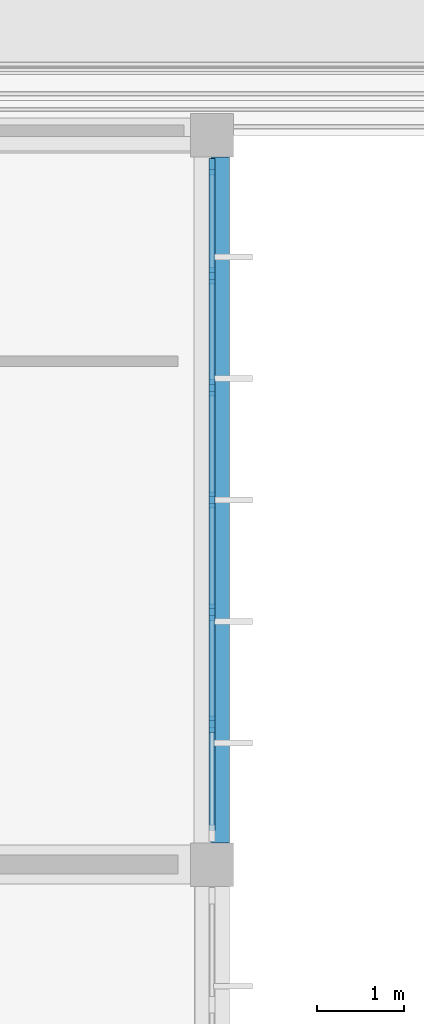
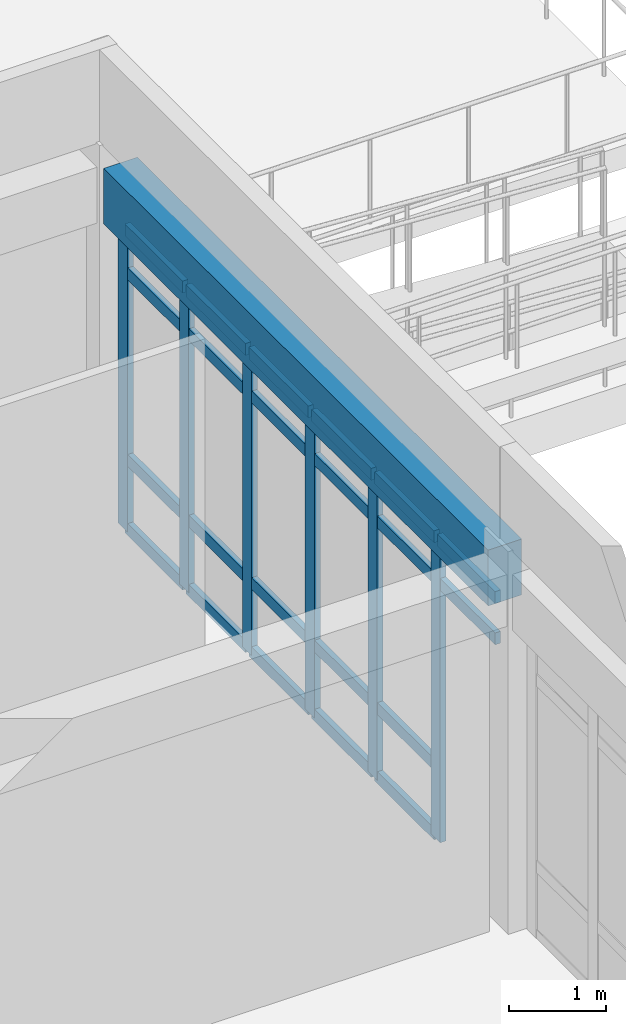
# One storey, part 51 of 138: 28 members, 1 beam, 1 element without a shape of its own.
"""IFC4 building model written with IfcOpenShell, lengths in metres."""

from ifc_helpers import new_model, si_unit, direction, frame, origin, origin_2d, place, context, subcontext, project, spatial, rectangle, extrude, material, layer, layer_set, material_profile, profile_set, type_object, element, aggregate, save


model = new_model("IFC4")

# Units and contexts
model_context = context("Model", 3, precision=1e-05, world=origin(), true_north=direction((0.0, 1.0)))
body_context = subcontext(model_context, "Body", "Model", "MODEL_VIEW")
ifc_project = project(units=[si_unit("LENGTHUNIT", "METRE"), si_unit("AREAUNIT", "SQUARE_METRE"), si_unit("VOLUMEUNIT", "CUBIC_METRE"), si_unit("PLANEANGLEUNIT", "RADIAN"), si_unit("MASSUNIT", "GRAM", prefix="KILO")], contexts=[model_context])

# Site, building, storey
site_placement = place(None, origin())
site = spatial("IfcSite", under=ifc_project, at=site_placement, CompositionType="ELEMENT")
building_placement = place(site_placement, origin())
building = spatial("IfcBuilding", under=site, at=building_placement, Name="Bramfleet General Hospital", CompositionType="ELEMENT")
storey_placement = place(building_placement, origin())
storey = spatial("IfcBuildingStorey", under=building, at=storey_placement, Name="L00", CompositionType="ELEMENT", Elevation=0.0)

# Beam
ifc_material_1 = material(Name="Concrete C35/45", Category="concrete")
ifc_material_profile_1 = material_profile(ifc_material_1, rectangle(XDim=0.39990234375, YDim=0.699951171875, at=origin_2d()), Name="RC SP 700x400")
ifc_profile_set_1 = profile_set([ifc_material_profile_1], Name="Concrete C35/45")
beam_type = type_object("IfcBeamType", Name="BM-SP700", PredefinedType="SPANDREL", material=ifc_profile_set_1)
beam_placement = place(storey_placement, frame((176.39990234375, 17.050048828125, 4.14990234375), z_axis=(0.0, 1.0, 0.0), x_axis=(-1.0, 0.0, 0.0)))
element("IfcBeam", 1, at=beam_placement, inside=storey, type_object=beam_type, Name="L00 Grid Beam Y 21-02", PredefinedType="SPANDREL", context=body_context, shape_type="SweptSolid", body=[
    extrude(rectangle(XDim=0.39990234375, YDim=0.699951171875, at=origin_2d()), origin(), (0.0, 0.0, 1.0), 7.89990234375),
])

# Curtain wall, members
ifc_material_2 = material(Name="Anodised aluminium and low-E triple glazing", Category="aluminium")
ifc_layer = layer(ifc_material_2, 0.179931640625, Name="CWT-CW-13")
ifc_layer_set = layer_set([ifc_layer], Name="Anodised aluminium and low-E triple glazing")
curtain_wall_type = type_object("IfcCurtainWallType", Name="CWT-CW-13", PredefinedType="USERDEFINED", material=ifc_layer_set)
curtain_wall_placement = place(storey_placement, origin())
curtain_wall = element("IfcCurtainWall", 2, at=curtain_wall_placement, inside=storey, type_object=curtain_wall_type, Name="L00 Curtain Wall 31", ObjectType="Stick curtain wall", PredefinedType="USERDEFINED")
ifc_material_3 = material(Name="Structural timber GL28h", Category="wood")
ifc_material_profile_2 = material_profile(ifc_material_3, rectangle(XDim=0.070068359375, YDim=0.18994140625, at=origin_2d()), Name="LARCH 190x70")
ifc_profile_set_2 = profile_set([ifc_material_profile_2], Name="Structural timber GL28h")
member_type_1 = type_object("IfcMemberType", Name="CWM-LARCH450", PredefinedType="MULLION", material=ifc_profile_set_2)
member_1_placement = place(storey_placement, frame((176.39990234375, 24.840087890625, 0.0), z_axis=(0.0, 0.0, 1.0), x_axis=(1.0, 0.0, 0.0)))
member_1 = element("IfcMember", 3, at=member_1_placement, type_object=member_type_1, Name="CW-13 mullion 1", PredefinedType="MULLION", context=body_context, shape_type="SweptSolid", body=[
    extrude(rectangle(XDim=0.070068359375, YDim=0.18994140625, at=origin_2d()), origin(), (0.0, 0.0, 1.0), 3.7900390625),
])
member_2_placement = place(storey_placement, frame((176.39990234375, 23.583251953125, 0.0), z_axis=(0.0, 0.0, 1.0), x_axis=(1.0, 0.0, 0.0)))
member_2 = element("IfcMember", 4, at=member_2_placement, type_object=member_type_1, Name="CW-13 mullion 2", PredefinedType="MULLION", context=body_context, shape_type="SweptSolid", body=[
    extrude(rectangle(XDim=0.070068359375, YDim=0.18994140625, at=origin_2d()), origin(), (0.0, 0.0, 1.0), 3.7900390625),
])
member_3_placement = place(storey_placement, frame((176.39990234375, 22.291748046875, 0.0), z_axis=(0.0, 0.0, 1.0), x_axis=(1.0, 0.0, 0.0)))
member_3 = element("IfcMember", 5, at=member_3_placement, type_object=member_type_1, Name="CW-13 mullion 3", PredefinedType="MULLION", context=body_context, shape_type="SweptSolid", body=[
    extrude(rectangle(XDim=0.070068359375, YDim=0.18994140625, at=origin_2d()), origin(), (0.0, 0.0, 1.0), 3.7900390625),
])
member_4_placement = place(storey_placement, frame((176.39990234375, 21.0, 0.0), z_axis=(0.0, 0.0, 1.0), x_axis=(1.0, 0.0, 0.0)))
member_4 = element("IfcMember", 6, at=member_4_placement, type_object=member_type_1, Name="CW-13 mullion 4", PredefinedType="MULLION", context=body_context, shape_type="SweptSolid", body=[
    extrude(rectangle(XDim=0.070068359375, YDim=0.18994140625, at=origin_2d()), origin(), (0.0, 0.0, 1.0), 3.7900390625),
])
member_5_placement = place(storey_placement, frame((176.39990234375, 19.708251953125, 0.0), z_axis=(0.0, 0.0, 1.0), x_axis=(1.0, 0.0, 0.0)))
member_5 = element("IfcMember", 7, at=member_5_placement, type_object=member_type_1, Name="CW-13 mullion 5", PredefinedType="MULLION", context=body_context, shape_type="SweptSolid", body=[
    extrude(rectangle(XDim=0.070068359375, YDim=0.18994140625, at=origin_2d()), origin(), (0.0, 0.0, 1.0), 3.7900390625),
])
member_6_placement = place(storey_placement, frame((176.39990234375, 18.416748046875, 0.0), z_axis=(0.0, 0.0, 1.0), x_axis=(1.0, 0.0, 0.0)))
member_6 = element("IfcMember", 8, at=member_6_placement, type_object=member_type_1, Name="CW-13 mullion 6", PredefinedType="MULLION", context=body_context, shape_type="SweptSolid", body=[
    extrude(rectangle(XDim=0.070068359375, YDim=0.18994140625, at=origin_2d()), origin(), (0.0, 0.0, 1.0), 3.7900390625),
])
ifc_material_profile_3 = material_profile(ifc_material_3, rectangle(XDim=0.06494140625, YDim=0.14990234375, at=origin_2d()), Name="LARCH 150x65")
ifc_profile_set_3 = profile_set([ifc_material_profile_3], Name="Structural timber GL28h")
member_type_2 = type_object("IfcMemberType", Name="CWT-LARCH220", PredefinedType="USERDEFINED", material=ifc_profile_set_3)
member_7_placement = place(storey_placement, frame((176.39990234375, 24.804931640625, 0.032470703125), z_axis=(0.0, -1.0, 0.0), x_axis=(1.0, 0.0, 0.0)))
member_7 = element("IfcMember", 9, at=member_7_placement, type_object=member_type_2, Name="CW-13 transom 1.1", ObjectType="TRANSOM", PredefinedType="USERDEFINED", context=body_context, shape_type="SweptSolid", body=[
    extrude(rectangle(XDim=0.06494140625, YDim=0.14990234375, at=origin_2d()), origin(), (0.0, 0.0, 1.0), 1.1865234375),
])
member_8_placement = place(storey_placement, frame((176.39990234375, 24.804931640625, 0.89990234375), z_axis=(0.0, -1.0, 0.0), x_axis=(1.0, 0.0, 0.0)))
member_8 = element("IfcMember", 10, at=member_8_placement, type_object=member_type_2, Name="CW-13 transom 1.2", ObjectType="TRANSOM", PredefinedType="USERDEFINED", context=body_context, shape_type="SweptSolid", body=[
    extrude(rectangle(XDim=0.06494140625, YDim=0.14990234375, at=origin_2d()), origin(), (0.0, 0.0, 1.0), 1.1865234375),
])
member_9_placement = place(storey_placement, frame((176.39990234375, 24.804931640625, 3.239990234375), z_axis=(0.0, -1.0, 0.0), x_axis=(1.0, 0.0, 0.0)))
member_9 = element("IfcMember", 11, at=member_9_placement, type_object=member_type_2, Name="CW-13 transom 1.3", ObjectType="TRANSOM", PredefinedType="USERDEFINED", context=body_context, shape_type="SweptSolid", body=[
    extrude(rectangle(XDim=0.06494140625, YDim=0.14990234375, at=origin_2d()), origin(), (0.0, 0.0, 1.0), 1.1865234375),
])
member_10_placement = place(storey_placement, frame((176.39990234375, 24.804931640625, 3.757568359375), z_axis=(0.0, -1.0, 0.0), x_axis=(1.0, 0.0, 0.0)))
member_10 = element("IfcMember", 12, at=member_10_placement, type_object=member_type_2, Name="CW-13 transom 1.4", ObjectType="TRANSOM", PredefinedType="USERDEFINED", context=body_context, shape_type="SweptSolid", body=[
    extrude(rectangle(XDim=0.06494140625, YDim=0.14990234375, at=origin_2d()), origin(), (0.0, 0.0, 1.0), 1.1865234375),
])
member_11_placement = place(storey_placement, frame((176.39990234375, 23.54833984375, 0.032470703125), z_axis=(0.0, -1.0, 0.0), x_axis=(1.0, 0.0, 0.0)))
member_11 = element("IfcMember", 13, at=member_11_placement, type_object=member_type_2, Name="CW-13 transom 2.1", ObjectType="TRANSOM", PredefinedType="USERDEFINED", context=body_context, shape_type="SweptSolid", body=[
    extrude(rectangle(XDim=0.06494140625, YDim=0.14990234375, at=origin_2d()), origin(), (0.0, 0.0, 1.0), 1.2216796875),
])
member_12_placement = place(storey_placement, frame((176.39990234375, 23.54833984375, 0.89990234375), z_axis=(0.0, -1.0, 0.0), x_axis=(1.0, 0.0, 0.0)))
member_12 = element("IfcMember", 14, at=member_12_placement, type_object=member_type_2, Name="CW-13 transom 2.2", ObjectType="TRANSOM", PredefinedType="USERDEFINED", context=body_context, shape_type="SweptSolid", body=[
    extrude(rectangle(XDim=0.06494140625, YDim=0.14990234375, at=origin_2d()), origin(), (0.0, 0.0, 1.0), 1.2216796875),
])
member_13_placement = place(storey_placement, frame((176.39990234375, 23.54833984375, 3.239990234375), z_axis=(0.0, -1.0, 0.0), x_axis=(1.0, 0.0, 0.0)))
member_13 = element("IfcMember", 15, at=member_13_placement, type_object=member_type_2, Name="CW-13 transom 2.3", ObjectType="TRANSOM", PredefinedType="USERDEFINED", context=body_context, shape_type="SweptSolid", body=[
    extrude(rectangle(XDim=0.06494140625, YDim=0.14990234375, at=origin_2d()), origin(), (0.0, 0.0, 1.0), 1.2216796875),
])
member_14_placement = place(storey_placement, frame((176.39990234375, 23.54833984375, 3.757568359375), z_axis=(0.0, -1.0, 0.0), x_axis=(1.0, 0.0, 0.0)))
member_14 = element("IfcMember", 16, at=member_14_placement, type_object=member_type_2, Name="CW-13 transom 2.4", ObjectType="TRANSOM", PredefinedType="USERDEFINED", context=body_context, shape_type="SweptSolid", body=[
    extrude(rectangle(XDim=0.06494140625, YDim=0.14990234375, at=origin_2d()), origin(), (0.0, 0.0, 1.0), 1.2216796875),
])
member_15_placement = place(storey_placement, frame((176.39990234375, 22.256591796875, 0.032470703125), z_axis=(0.0, -1.0, 0.0), x_axis=(1.0, 0.0, 0.0)))
member_15 = element("IfcMember", 17, at=member_15_placement, type_object=member_type_2, Name="CW-13 transom 3.1", ObjectType="TRANSOM", PredefinedType="USERDEFINED", context=body_context, shape_type="SweptSolid", body=[
    extrude(rectangle(XDim=0.06494140625, YDim=0.14990234375, at=origin_2d()), origin(), (0.0, 0.0, 1.0), 1.2216796875),
])
member_16_placement = place(storey_placement, frame((176.39990234375, 22.256591796875, 0.89990234375), z_axis=(0.0, -1.0, 0.0), x_axis=(1.0, 0.0, 0.0)))
member_16 = element("IfcMember", 18, at=member_16_placement, type_object=member_type_2, Name="CW-13 transom 3.2", ObjectType="TRANSOM", PredefinedType="USERDEFINED", context=body_context, shape_type="SweptSolid", body=[
    extrude(rectangle(XDim=0.06494140625, YDim=0.14990234375, at=origin_2d()), origin(), (0.0, 0.0, 1.0), 1.2216796875),
])
member_17_placement = place(storey_placement, frame((176.39990234375, 22.256591796875, 3.239990234375), z_axis=(0.0, -1.0, 0.0), x_axis=(1.0, 0.0, 0.0)))
member_17 = element("IfcMember", 19, at=member_17_placement, type_object=member_type_2, Name="CW-13 transom 3.3", ObjectType="TRANSOM", PredefinedType="USERDEFINED", context=body_context, shape_type="SweptSolid", body=[
    extrude(rectangle(XDim=0.06494140625, YDim=0.14990234375, at=origin_2d()), origin(), (0.0, 0.0, 1.0), 1.2216796875),
])
member_18_placement = place(storey_placement, frame((176.39990234375, 22.256591796875, 3.757568359375), z_axis=(0.0, -1.0, 0.0), x_axis=(1.0, 0.0, 0.0)))
member_18 = element("IfcMember", 20, at=member_18_placement, type_object=member_type_2, Name="CW-13 transom 3.4", ObjectType="TRANSOM", PredefinedType="USERDEFINED", context=body_context, shape_type="SweptSolid", body=[
    extrude(rectangle(XDim=0.06494140625, YDim=0.14990234375, at=origin_2d()), origin(), (0.0, 0.0, 1.0), 1.2216796875),
])
member_19_placement = place(storey_placement, frame((176.39990234375, 20.965087890625, 0.032470703125), z_axis=(0.0, -1.0, 0.0), x_axis=(1.0, 0.0, 0.0)))
member_19 = element("IfcMember", 21, at=member_19_placement, type_object=member_type_2, Name="CW-13 transom 4.1", ObjectType="TRANSOM", PredefinedType="USERDEFINED", context=body_context, shape_type="SweptSolid", body=[
    extrude(rectangle(XDim=0.06494140625, YDim=0.14990234375, at=origin_2d()), origin(), (0.0, 0.0, 1.0), 1.2216796875),
])
member_20_placement = place(storey_placement, frame((176.39990234375, 20.965087890625, 0.89990234375), z_axis=(0.0, -1.0, 0.0), x_axis=(1.0, 0.0, 0.0)))
member_20 = element("IfcMember", 22, at=member_20_placement, type_object=member_type_2, Name="CW-13 transom 4.2", ObjectType="TRANSOM", PredefinedType="USERDEFINED", context=body_context, shape_type="SweptSolid", body=[
    extrude(rectangle(XDim=0.06494140625, YDim=0.14990234375, at=origin_2d()), origin(), (0.0, 0.0, 1.0), 1.2216796875),
])
member_21_placement = place(storey_placement, frame((176.39990234375, 20.965087890625, 3.239990234375), z_axis=(0.0, -1.0, 0.0), x_axis=(1.0, 0.0, 0.0)))
member_21 = element("IfcMember", 23, at=member_21_placement, type_object=member_type_2, Name="CW-13 transom 4.3", ObjectType="TRANSOM", PredefinedType="USERDEFINED", context=body_context, shape_type="SweptSolid", body=[
    extrude(rectangle(XDim=0.06494140625, YDim=0.14990234375, at=origin_2d()), origin(), (0.0, 0.0, 1.0), 1.2216796875),
])
member_22_placement = place(storey_placement, frame((176.39990234375, 20.965087890625, 3.757568359375), z_axis=(0.0, -1.0, 0.0), x_axis=(1.0, 0.0, 0.0)))
member_22 = element("IfcMember", 24, at=member_22_placement, type_object=member_type_2, Name="CW-13 transom 4.4", ObjectType="TRANSOM", PredefinedType="USERDEFINED", context=body_context, shape_type="SweptSolid", body=[
    extrude(rectangle(XDim=0.06494140625, YDim=0.14990234375, at=origin_2d()), origin(), (0.0, 0.0, 1.0), 1.2216796875),
])
member_23_placement = place(storey_placement, frame((176.39990234375, 19.67333984375, 0.032470703125), z_axis=(0.0, -1.0, 0.0), x_axis=(1.0, 0.0, 0.0)))
member_23 = element("IfcMember", 25, at=member_23_placement, type_object=member_type_2, Name="CW-13 transom 5.1", ObjectType="TRANSOM", PredefinedType="USERDEFINED", context=body_context, shape_type="SweptSolid", body=[
    extrude(rectangle(XDim=0.06494140625, YDim=0.14990234375, at=origin_2d()), origin(), (0.0, 0.0, 1.0), 1.2216796875),
])
member_24_placement = place(storey_placement, frame((176.39990234375, 19.67333984375, 0.89990234375), z_axis=(0.0, -1.0, 0.0), x_axis=(1.0, 0.0, 0.0)))
member_24 = element("IfcMember", 26, at=member_24_placement, type_object=member_type_2, Name="CW-13 transom 5.2", ObjectType="TRANSOM", PredefinedType="USERDEFINED", context=body_context, shape_type="SweptSolid", body=[
    extrude(rectangle(XDim=0.06494140625, YDim=0.14990234375, at=origin_2d()), origin(), (0.0, 0.0, 1.0), 1.2216796875),
])
member_25_placement = place(storey_placement, frame((176.39990234375, 19.67333984375, 3.239990234375), z_axis=(0.0, -1.0, 0.0), x_axis=(1.0, 0.0, 0.0)))
member_25 = element("IfcMember", 27, at=member_25_placement, type_object=member_type_2, Name="CW-13 transom 5.3", ObjectType="TRANSOM", PredefinedType="USERDEFINED", context=body_context, shape_type="SweptSolid", body=[
    extrude(rectangle(XDim=0.06494140625, YDim=0.14990234375, at=origin_2d()), origin(), (0.0, 0.0, 1.0), 1.2216796875),
])
member_26_placement = place(storey_placement, frame((176.39990234375, 19.67333984375, 3.757568359375), z_axis=(0.0, -1.0, 0.0), x_axis=(1.0, 0.0, 0.0)))
member_26 = element("IfcMember", 28, at=member_26_placement, type_object=member_type_2, Name="CW-13 transom 5.4", ObjectType="TRANSOM", PredefinedType="USERDEFINED", context=body_context, shape_type="SweptSolid", body=[
    extrude(rectangle(XDim=0.06494140625, YDim=0.14990234375, at=origin_2d()), origin(), (0.0, 0.0, 1.0), 1.2216796875),
])
member_27_placement = place(storey_placement, frame((176.39990234375, 18.381591796875, 3.239990234375), z_axis=(0.0, -1.0, 0.0), x_axis=(1.0, 0.0, 0.0)))
member_27 = element("IfcMember", 29, at=member_27_placement, type_object=member_type_2, Name="CW-13 transom 6.3", ObjectType="TRANSOM", PredefinedType="USERDEFINED", context=body_context, shape_type="SweptSolid", body=[
    extrude(rectangle(XDim=0.06494140625, YDim=0.14990234375, at=origin_2d()), origin(), (0.0, 0.0, 1.0), 1.1865234375),
])
member_28_placement = place(storey_placement, frame((176.39990234375, 18.381591796875, 3.757568359375), z_axis=(0.0, -1.0, 0.0), x_axis=(1.0, 0.0, 0.0)))
member_28 = element("IfcMember", 30, at=member_28_placement, type_object=member_type_2, Name="CW-13 transom 6.4", ObjectType="TRANSOM", PredefinedType="USERDEFINED", context=body_context, shape_type="SweptSolid", body=[
    extrude(rectangle(XDim=0.06494140625, YDim=0.14990234375, at=origin_2d()), origin(), (0.0, 0.0, 1.0), 1.1865234375),
])
aggregate(curtain_wall, [member_1, member_2, member_3, member_4, member_5, member_6, member_7, member_8, member_9, member_10, member_11, member_12, member_13, member_14, member_15, member_16, member_17, member_18, member_19, member_20, member_21, member_22, member_23, member_24, member_25, member_26, member_27, member_28])

save(model, "model.ifc")
